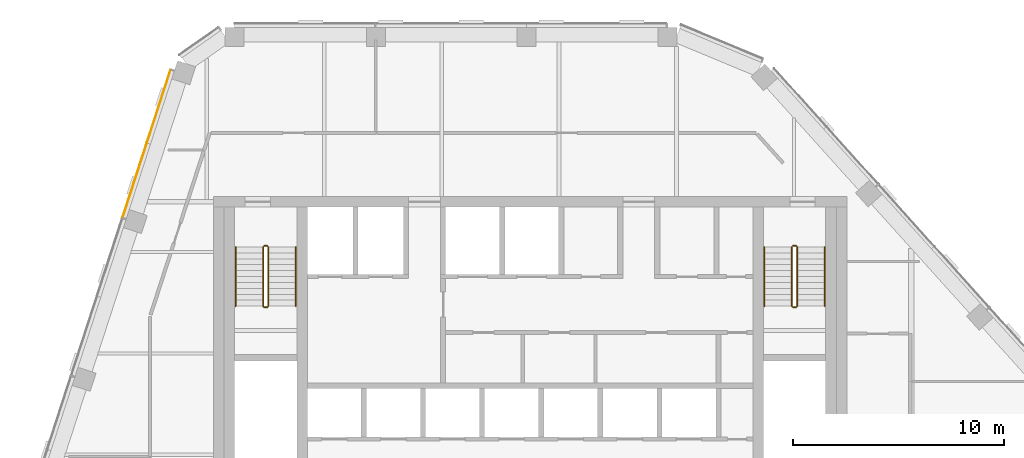
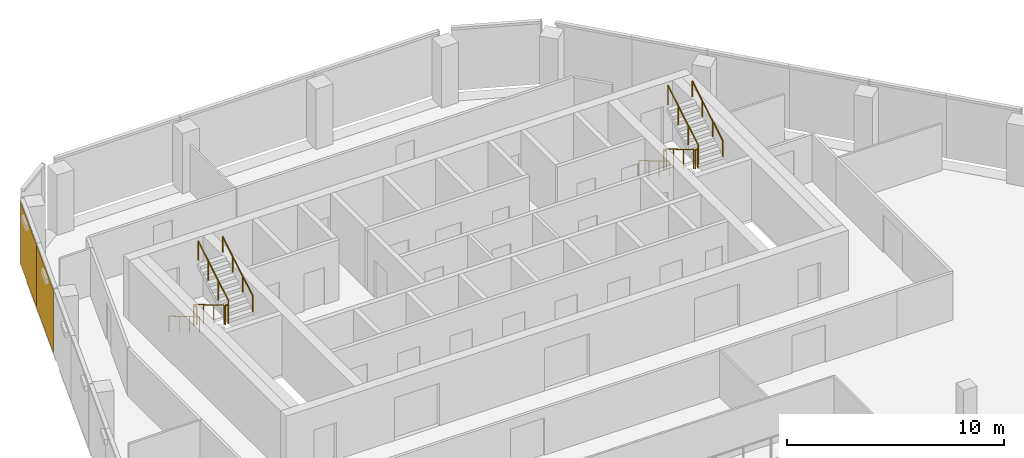
# One storey, part 12 of 13: 12 railings, 2 coverings, 1 element without a shape of its own.
"""IFC4 building model written with IfcOpenShell, lengths in metres."""

from ifc_helpers import new_model, si_unit, direction, frame, origin, origin_2d, place, context, subcontext, project, spatial, rectangle, circle, extrude, material, layer, layer_set, type_object, element, aggregate, save


model = new_model("IFC4")

# Units and contexts
model_context = context("Model", 3, precision=1e-05, world=origin(), true_north=direction((0.0, 1.0)))
body_context = subcontext(model_context, "Body", "Model", "MODEL_VIEW")
ifc_project = project(units=[si_unit("LENGTHUNIT", "METRE"), si_unit("AREAUNIT", "SQUARE_METRE"), si_unit("VOLUMEUNIT", "CUBIC_METRE"), si_unit("PLANEANGLEUNIT", "RADIAN"), si_unit("MASSUNIT", "GRAM", prefix="KILO")], contexts=[model_context])

# Site, building, storey
site_placement = place(None, origin())
site = spatial("IfcSite", under=ifc_project, at=site_placement, CompositionType="ELEMENT")
building_placement = place(site_placement, origin())
building = spatial("IfcBuilding", under=site, at=building_placement, Name="Isthmus Gate Tower", CompositionType="ELEMENT")
storey_placement = place(building_placement, frame((0.0, 0.0, 297.449951171875)))
storey = spatial("IfcBuildingStorey", under=building, at=storey_placement, Name="L76", CompositionType="ELEMENT", Elevation=297.449951171875)

# Curtain wall, coverings
ifc_material_1 = material(Name="Aluminium, pale champagne anodised", Category="aluminium")
ifc_layer_1 = layer(ifc_material_1, 0.199951171875)
ifc_layer_set_1 = layer_set([ifc_layer_1], Name="CW-1 UNITISED CURTAIN WALL 200 DEEP")
curtain_wall_type = type_object("IfcCurtainWallType", Name="CW-1 UNITISED CURTAIN WALL 200 DEEP", PredefinedType="NOTDEFINED", material=ifc_layer_set_1)
curtain_wall_placement = place(storey_placement, origin())
curtain_wall = element("IfcCurtainWall", 1, at=curtain_wall_placement, inside=storey, type_object=curtain_wall_type, Name="CW-1 NW L76", PredefinedType="NOTDEFINED")
ifc_material_2 = material(Name="Aluminium composite panel, pale champagne anodised", Category="aluminium")
ifc_layer_2 = layer(ifc_material_2, 0.031982421875)
ifc_layer_set_2 = layer_set([ifc_layer_2], Name="CW-1 PALE METAL PANEL 32")
covering_type = type_object("IfcCoveringType", Name="CW-1 PALE METAL PANEL 32", PredefinedType="CLADDING", material=ifc_layer_set_2)
covering_1_placement = place(storey_placement, frame((-17.592529296875, 19.254150390625, 0.0), z_axis=(0.0, 0.0, 1.0), x_axis=(-0.309016994375, -0.951056516295, 0.0)))
covering_1 = element("IfcCovering", 2, at=covering_1_placement, type_object=covering_type, Name="CW-1 pale metal panel", PredefinedType="CLADDING", context=body_context, shape_type="SweptSolid", body=[
    extrude(rectangle(XDim=3.643310546875, YDim=0.031982421875, at=origin_2d()), origin(), (0.0, 0.0, 1.0), 3.52001953125),
])
covering_2_placement = place(storey_placement, frame((-18.727783203125, 15.760498046875, 0.0), z_axis=(0.0, 0.0, 1.0), x_axis=(-0.309016994375, -0.951056516295, 0.0)))
covering_2 = element("IfcCovering", 3, at=covering_2_placement, type_object=covering_type, Name="CW-1 pale metal panel", PredefinedType="CLADDING", context=body_context, shape_type="SweptSolid", body=[
    extrude(rectangle(XDim=3.703369140625, YDim=0.031982421875, at=origin_2d()), origin(), (0.0, 0.0, 1.0), 3.52001953125),
])
aggregate(curtain_wall, [covering_1, covering_2])

# Railings
ifc_material_3 = material(Name="Stainless steel balustrade", Category="steel")
railing_type_1 = type_object("IfcRailingType", Name="STAIR GUARD 1100", PredefinedType="GUARDRAIL", material=ifc_material_3)
railing_1_placement = place(storey_placement, frame((-12.64990234375, 12.60009765625, 0.166015625)))
element("IfcRailing", 4, at=railing_1_placement, inside=storey, type_object=railing_type_1, Name="L76 ST1 stair guard 1", PredefinedType="GUARDRAIL", context=body_context, shape_type="SweptSolid", body=[
    extrude(circle(Radius=0.02392578125, at=origin_2d()), frame((0.0, 0.0, 1.076171875), z_axis=(0.0, -0.860339051648, 0.50972219513), x_axis=(1.0, 0.0, 0.0)), (0.0, 0.0, 1.0), 3.254638671875),
    extrude(circle(Radius=0.02099609375, at=origin_2d()), origin(), (0.0, 0.0, 1.0), 1.052001953125),
    extrude(circle(Radius=0.02099609375, at=origin_2d()), frame((0.0, -0.933349609375, 0.552978515625)), (0.0, 0.0, 1.0), 1.052001953125),
    extrude(circle(Radius=0.02099609375, at=origin_2d()), frame((0.0, -1.86669921875, 1.10595703125)), (0.0, 0.0, 1.0), 1.052001953125),
    extrude(circle(Radius=0.02099609375, at=origin_2d()), frame((0.0, -2.800048828125, 1.658935546875)), (0.0, 0.0, 1.0), 1.052001953125),
])
railing_2_placement = place(storey_placement, frame((-12.60009765625, 9.75, 1.824951171875)))
element("IfcRailing", 5, at=railing_2_placement, inside=storey, type_object=railing_type_1, Name="L76 ST1 stair guard 2", PredefinedType="GUARDRAIL", context=body_context, shape_type="SweptSolid", body=[
    extrude(circle(Radius=0.02392578125, at=origin_2d()), frame((0.0, 0.0, 1.076171875), z_axis=(1.0, 0.0, 0.0), x_axis=(0.0, 1.0, 0.0)), (0.0, 0.0, 1.0), 0.150146484375),
    extrude(circle(Radius=0.02099609375, at=origin_2d()), origin(), (0.0, 0.0, 1.0), 1.052001953125),
    extrude(circle(Radius=0.02099609375, at=origin_2d()), frame((0.150146484375, 0.0, 0.0)), (0.0, 0.0, 1.0), 1.052001953125),
])
railing_3_placement = place(storey_placement, frame((-12.39990234375, 9.800048828125, 1.990966796875)))
element("IfcRailing", 6, at=railing_3_placement, inside=storey, type_object=railing_type_1, Name="L76 ST1 stair guard 3", PredefinedType="GUARDRAIL", context=body_context, shape_type="SweptSolid", body=[
    extrude(circle(Radius=0.02392578125, at=origin_2d()), frame((0.0, 0.0, 1.076171875), z_axis=(0.0, 0.860306154799, 0.50977771628), x_axis=(-1.0, 0.0, 0.0)), (0.0, 0.0, 1.0), 3.254638671875),
    extrude(circle(Radius=0.02099609375, at=origin_2d()), origin(), (0.0, 0.0, 1.0), 1.052001953125),
    extrude(circle(Radius=0.02099609375, at=origin_2d()), frame((0.0, 0.933349609375, 0.552978515625)), (0.0, 0.0, 1.0), 1.052001953125),
    extrude(circle(Radius=0.02099609375, at=origin_2d()), frame((0.0, 1.86669921875, 1.106201171875)), (0.0, 0.0, 1.0), 1.052001953125),
    extrude(circle(Radius=0.02099609375, at=origin_2d()), frame((0.0, 2.800048828125, 1.6591796875)), (0.0, 0.0, 1.0), 1.052001953125),
])
railing_4_placement = place(storey_placement, frame((-12.60009765625, 12.64990234375, 0.0)))
element("IfcRailing", 7, at=railing_4_placement, inside=storey, type_object=railing_type_1, Name="L76 ST1 stair guard 4", PredefinedType="GUARDRAIL", context=body_context, shape_type="SweptSolid", body=[
    extrude(circle(Radius=0.02392578125, at=origin_2d()), frame((0.0, 0.0, 1.076171875), z_axis=(1.0, 0.0, 0.0), x_axis=(0.0, 1.0, 0.0)), (0.0, 0.0, 1.0), 0.150146484375),
    extrude(circle(Radius=0.02099609375, at=origin_2d()), origin(), (0.0, 0.0, 1.0), 1.052001953125),
    extrude(circle(Radius=0.02099609375, at=origin_2d()), frame((0.150146484375, 0.0, 0.0)), (0.0, 0.0, 1.0), 1.052001953125),
])
railing_5_placement = place(storey_placement, frame((12.39990234375, 12.60009765625, 0.166015625)))
element("IfcRailing", 8, at=railing_5_placement, inside=storey, type_object=railing_type_1, Name="L76 ST2 stair guard 1", PredefinedType="GUARDRAIL", context=body_context, shape_type="SweptSolid", body=[
    extrude(circle(Radius=0.02392578125, at=origin_2d()), frame((0.0, 0.0, 1.076171875), z_axis=(0.0, -0.860339051648, 0.50972219513), x_axis=(1.0, 0.0, 0.0)), (0.0, 0.0, 1.0), 3.254638671875),
    extrude(circle(Radius=0.02099609375, at=origin_2d()), origin(), (0.0, 0.0, 1.0), 1.052001953125),
    extrude(circle(Radius=0.02099609375, at=origin_2d()), frame((0.0, -0.933349609375, 0.552978515625)), (0.0, 0.0, 1.0), 1.052001953125),
    extrude(circle(Radius=0.02099609375, at=origin_2d()), frame((0.0, -1.86669921875, 1.10595703125)), (0.0, 0.0, 1.0), 1.052001953125),
    extrude(circle(Radius=0.02099609375, at=origin_2d()), frame((0.0, -2.800048828125, 1.658935546875)), (0.0, 0.0, 1.0), 1.052001953125),
])
railing_6_placement = place(storey_placement, frame((12.449951171875, 9.75, 1.824951171875)))
element("IfcRailing", 9, at=railing_6_placement, inside=storey, type_object=railing_type_1, Name="L76 ST2 stair guard 2", PredefinedType="GUARDRAIL", context=body_context, shape_type="SweptSolid", body=[
    extrude(circle(Radius=0.02392578125, at=origin_2d()), frame((0.0, 0.0, 1.076171875), z_axis=(1.0, 0.0, 0.0), x_axis=(0.0, 1.0, 0.0)), (0.0, 0.0, 1.0), 0.150146484375),
    extrude(circle(Radius=0.02099609375, at=origin_2d()), origin(), (0.0, 0.0, 1.0), 1.052001953125),
    extrude(circle(Radius=0.02099609375, at=origin_2d()), frame((0.150146484375, 0.0, 0.0)), (0.0, 0.0, 1.0), 1.052001953125),
])
railing_7_placement = place(storey_placement, frame((12.64990234375, 9.800048828125, 1.990966796875)))
element("IfcRailing", 10, at=railing_7_placement, inside=storey, type_object=railing_type_1, Name="L76 ST2 stair guard 3", PredefinedType="GUARDRAIL", context=body_context, shape_type="SweptSolid", body=[
    extrude(circle(Radius=0.02392578125, at=origin_2d()), frame((0.0, 0.0, 1.076171875), z_axis=(0.0, 0.860306154799, 0.50977771628), x_axis=(-1.0, 0.0, 0.0)), (0.0, 0.0, 1.0), 3.254638671875),
    extrude(circle(Radius=0.02099609375, at=origin_2d()), origin(), (0.0, 0.0, 1.0), 1.052001953125),
    extrude(circle(Radius=0.02099609375, at=origin_2d()), frame((0.0, 0.933349609375, 0.552978515625)), (0.0, 0.0, 1.0), 1.052001953125),
    extrude(circle(Radius=0.02099609375, at=origin_2d()), frame((0.0, 1.86669921875, 1.106201171875)), (0.0, 0.0, 1.0), 1.052001953125),
    extrude(circle(Radius=0.02099609375, at=origin_2d()), frame((0.0, 2.800048828125, 1.6591796875)), (0.0, 0.0, 1.0), 1.052001953125),
])
railing_8_placement = place(storey_placement, frame((12.449951171875, 12.64990234375, 0.0)))
element("IfcRailing", 11, at=railing_8_placement, inside=storey, type_object=railing_type_1, Name="L76 ST2 stair guard 4", PredefinedType="GUARDRAIL", context=body_context, shape_type="SweptSolid", body=[
    extrude(circle(Radius=0.02392578125, at=origin_2d()), frame((0.0, 0.0, 1.076171875), z_axis=(1.0, 0.0, 0.0), x_axis=(0.0, 1.0, 0.0)), (0.0, 0.0, 1.0), 0.150146484375),
    extrude(circle(Radius=0.02099609375, at=origin_2d()), origin(), (0.0, 0.0, 1.0), 1.052001953125),
    extrude(circle(Radius=0.02099609375, at=origin_2d()), frame((0.150146484375, 0.0, 0.0)), (0.0, 0.0, 1.0), 1.052001953125),
])
ifc_material_4 = material(Name="Stainless steel handrail", Category="steel")
railing_type_2 = type_object("IfcRailingType", Name="STAIR HANDRAIL 900", PredefinedType="HANDRAIL", material=ifc_material_4)
railing_9_placement = place(storey_placement, frame((-13.949951171875, 12.60009765625, 0.166015625)))
element("IfcRailing", 12, at=railing_9_placement, inside=storey, type_object=railing_type_2, Name="L76 ST1 stair handrail 1", PredefinedType="HANDRAIL", context=body_context, shape_type="SweptSolid", body=[
    extrude(circle(Radius=0.02392578125, at=origin_2d()), frame((0.0, 0.0, 0.8759765625), z_axis=(0.0, -0.860339051648, 0.50972219513), x_axis=(1.0, 0.0, 0.0)), (0.0, 0.0, 1.0), 3.254638671875),
    extrude(circle(Radius=0.02099609375, at=origin_2d()), origin(), (0.0, 0.0, 1.0), 0.851806640625),
    extrude(circle(Radius=0.02099609375, at=origin_2d()), frame((0.0, -0.933349609375, 0.552978515625)), (0.0, 0.0, 1.0), 0.851806640625),
    extrude(circle(Radius=0.02099609375, at=origin_2d()), frame((0.0, -1.86669921875, 1.10595703125)), (0.0, 0.0, 1.0), 0.851806640625),
    extrude(circle(Radius=0.02099609375, at=origin_2d()), frame((0.0, -2.800048828125, 1.658935546875)), (0.0, 0.0, 1.0), 0.851806640625),
])
railing_10_placement = place(storey_placement, frame((-11.10009765625, 9.800048828125, 1.990966796875)))
element("IfcRailing", 13, at=railing_10_placement, inside=storey, type_object=railing_type_2, Name="L76 ST1 stair handrail 2", PredefinedType="HANDRAIL", context=body_context, shape_type="SweptSolid", body=[
    extrude(circle(Radius=0.02392578125, at=origin_2d()), frame((0.0, 0.0, 0.8759765625), z_axis=(0.0, 0.860306154799, 0.50977771628), x_axis=(-1.0, 0.0, 0.0)), (0.0, 0.0, 1.0), 3.254638671875),
    extrude(circle(Radius=0.02099609375, at=origin_2d()), origin(), (0.0, 0.0, 1.0), 0.851806640625),
    extrude(circle(Radius=0.02099609375, at=origin_2d()), frame((0.0, 0.933349609375, 0.552978515625)), (0.0, 0.0, 1.0), 0.851806640625),
    extrude(circle(Radius=0.02099609375, at=origin_2d()), frame((0.0, 1.86669921875, 1.106201171875)), (0.0, 0.0, 1.0), 0.851806640625),
    extrude(circle(Radius=0.02099609375, at=origin_2d()), frame((0.0, 2.800048828125, 1.6591796875)), (0.0, 0.0, 1.0), 0.851806640625),
])
railing_11_placement = place(storey_placement, frame((11.10009765625, 12.60009765625, 0.166015625)))
element("IfcRailing", 14, at=railing_11_placement, inside=storey, type_object=railing_type_2, Name="L76 ST2 stair handrail 1", PredefinedType="HANDRAIL", context=body_context, shape_type="SweptSolid", body=[
    extrude(circle(Radius=0.02392578125, at=origin_2d()), frame((0.0, 0.0, 0.8759765625), z_axis=(0.0, -0.860339051648, 0.50972219513), x_axis=(1.0, 0.0, 0.0)), (0.0, 0.0, 1.0), 3.254638671875),
    extrude(circle(Radius=0.02099609375, at=origin_2d()), origin(), (0.0, 0.0, 1.0), 0.851806640625),
    extrude(circle(Radius=0.02099609375, at=origin_2d()), frame((0.0, -0.933349609375, 0.552978515625)), (0.0, 0.0, 1.0), 0.851806640625),
    extrude(circle(Radius=0.02099609375, at=origin_2d()), frame((0.0, -1.86669921875, 1.10595703125)), (0.0, 0.0, 1.0), 0.851806640625),
    extrude(circle(Radius=0.02099609375, at=origin_2d()), frame((0.0, -2.800048828125, 1.658935546875)), (0.0, 0.0, 1.0), 0.851806640625),
])
railing_12_placement = place(storey_placement, frame((13.949951171875, 9.800048828125, 1.990966796875)))
element("IfcRailing", 15, at=railing_12_placement, inside=storey, type_object=railing_type_2, Name="L76 ST2 stair handrail 2", PredefinedType="HANDRAIL", context=body_context, shape_type="SweptSolid", body=[
    extrude(circle(Radius=0.02392578125, at=origin_2d()), frame((0.0, 0.0, 0.8759765625), z_axis=(0.0, 0.860306154799, 0.50977771628), x_axis=(-1.0, 0.0, 0.0)), (0.0, 0.0, 1.0), 3.254638671875),
    extrude(circle(Radius=0.02099609375, at=origin_2d()), origin(), (0.0, 0.0, 1.0), 0.851806640625),
    extrude(circle(Radius=0.02099609375, at=origin_2d()), frame((0.0, 0.933349609375, 0.552978515625)), (0.0, 0.0, 1.0), 0.851806640625),
    extrude(circle(Radius=0.02099609375, at=origin_2d()), frame((0.0, 1.86669921875, 1.106201171875)), (0.0, 0.0, 1.0), 0.851806640625),
    extrude(circle(Radius=0.02099609375, at=origin_2d()), frame((0.0, 2.800048828125, 1.6591796875)), (0.0, 0.0, 1.0), 0.851806640625),
])

save(model, "model.ifc")
